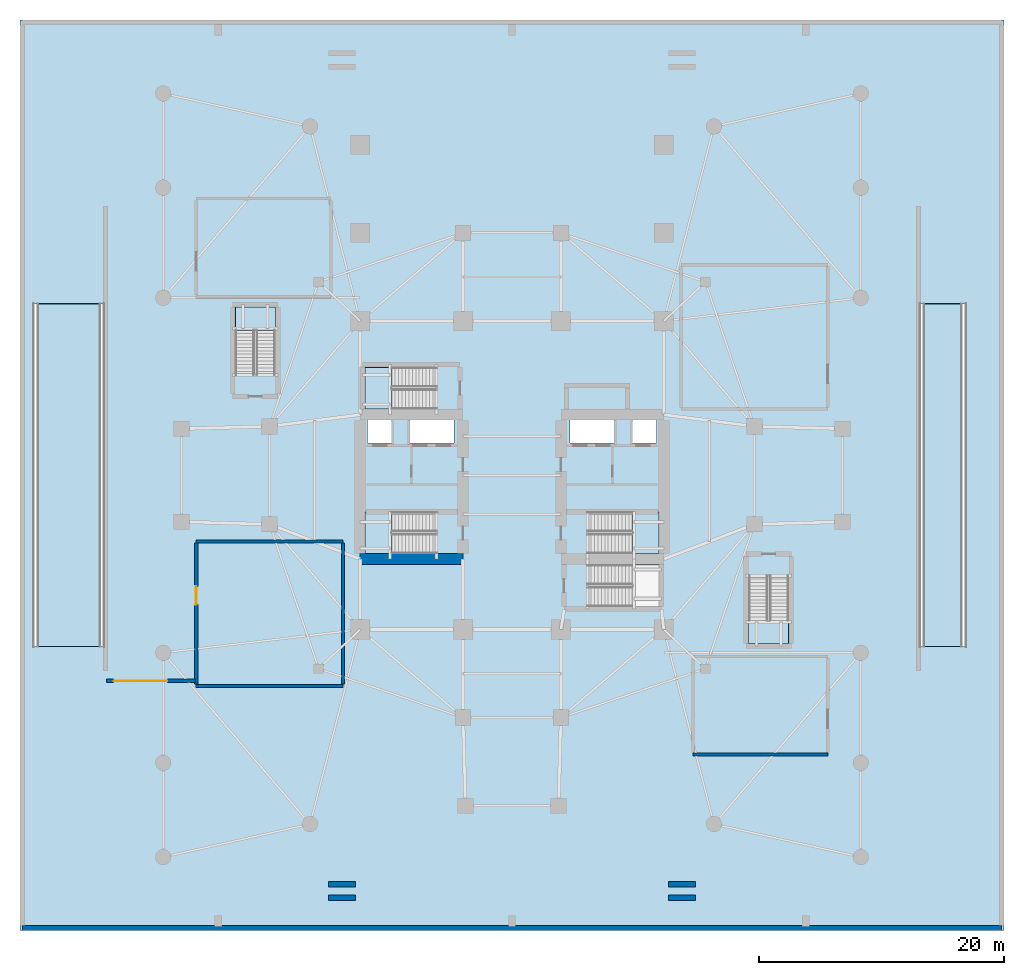
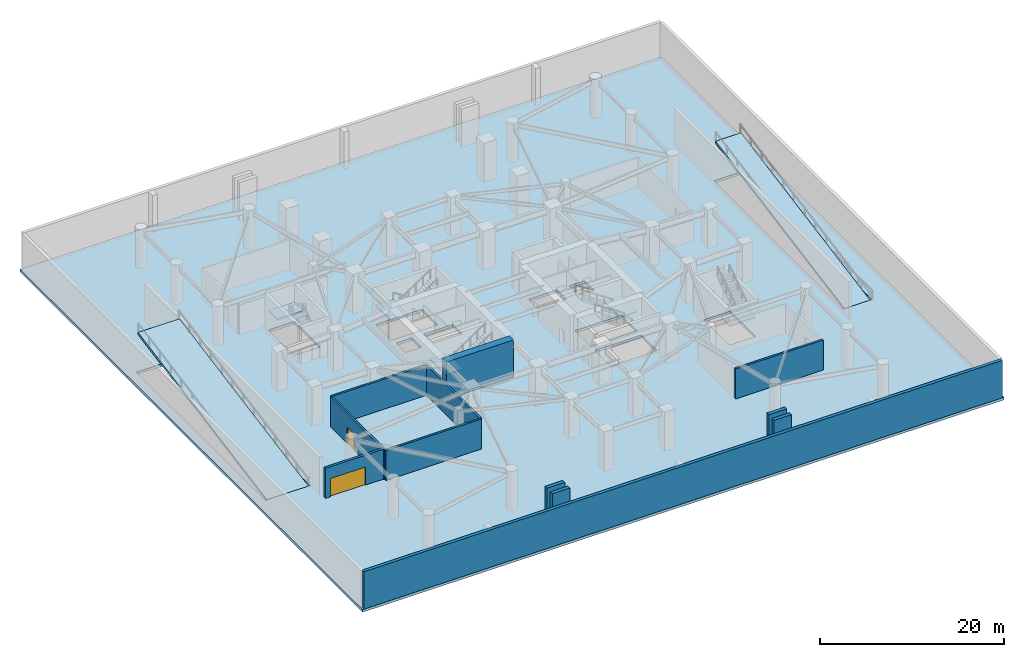
# One storey, part 3 of 12: 12 walls, 8 slabs, 2 doors, 2 openings, 5 elements without a shape of their own.
"""IFC4 building model written with IfcOpenShell, lengths in metres."""

from ifc_helpers import new_model, si_unit, direction, frame, frame_2d, origin, place, context, subcontext, project, spatial, polyline, rectangle, outline, extrude, material, layer, layer_set, type_object, element, fill, aggregate, save


model = new_model("IFC4")

# Units and contexts
model_context = context("Model", 3, precision=1e-05, world=origin(), true_north=direction((0.0, 1.0)))
body_context = subcontext(model_context, "Body", "Model", "MODEL_VIEW")
ifc_project = project(units=[si_unit("LENGTHUNIT", "METRE"), si_unit("AREAUNIT", "SQUARE_METRE"), si_unit("VOLUMEUNIT", "CUBIC_METRE"), si_unit("PLANEANGLEUNIT", "RADIAN"), si_unit("MASSUNIT", "GRAM", prefix="KILO")], contexts=[model_context])

# Site, building, storey
site_placement = place(None, origin())
site = spatial("IfcSite", under=ifc_project, at=site_placement, CompositionType="ELEMENT")
building_placement = place(site_placement, origin())
building = spatial("IfcBuilding", under=site, at=building_placement, Name="Qingluan Cross Belvedere", CompositionType="ELEMENT")
storey_placement = place(building_placement, frame((0.0, 0.0, -5.199951171875)))
storey = spatial("IfcBuildingStorey", under=building, at=storey_placement, Name="B1", CompositionType="ELEMENT", Elevation=-5.199951171875)

# Slab
ifc_material_1 = material(Name="Concrete C40", Category="concrete")
ifc_layer_1 = layer(ifc_material_1, 0.35009765625, Name="FloorSlab_350")
ifc_layer_set_1 = layer_set([ifc_layer_1], Name="Concrete C40")
slab_type_1 = type_object("IfcSlabType", Name="FloorSlab_350", PredefinedType="FLOOR", material=ifc_layer_set_1)
slab_1_placement = place(storey_placement, frame((0.0, 0.0, -0.35009765625)))
element("IfcSlab", 1, at=slab_1_placement, inside=storey, type_object=slab_type_1, Name="Structural floor slab B1", PredefinedType="FLOOR", context=body_context, shape_type="SweptSolid", body=[
    extrude(outline(polyline([(40.199951171875, -37.199951171875), (40.199951171875, 37.199951171875), (-40.199951171875, 37.199951171875), (-40.199951171875, -37.199951171875), (40.199951171875, -37.199951171875)]), holes=[polyline([(-12.0, -3.0), (-6.179931640625, -3.0), (-6.179931640625, -6.39990234375), (-12.0, -6.39990234375), (-12.0, -3.0)]), polyline([(6.179931640625, -3.0), (12.0, -3.0), (12.0, -6.39990234375), (6.179931640625, -6.39990234375), (6.179931640625, -3.0)]), polyline([(-12.0, 8.820068359375), (-6.179931640625, 8.820068359375), (-6.179931640625, 5.419921875), (-12.0, 5.419921875), (-12.0, 8.820068359375)]), polyline([(6.179931640625, -7.320068359375), (12.0, -7.320068359375), (12.0, -10.719970703125), (6.179931640625, -10.719970703125), (6.179931640625, -7.320068359375)]), polyline([(-22.60009765625, 13.72998046875), (-19.340087890625, 13.72998046875), (-19.340087890625, 8.2099609375), (-22.60009765625, 8.2099609375), (-22.60009765625, 13.72998046875)]), polyline([(19.340087890625, -8.2099609375), (22.60009765625, -8.2099609375), (22.60009765625, -13.72998046875), (19.340087890625, -13.72998046875), (19.340087890625, -8.2099609375)]), polyline([(-11.800048828125, 4.64990234375), (-9.85009765625, 4.64990234375), (-9.85009765625, 2.64990234375), (-11.800048828125, 2.64990234375), (-11.800048828125, 4.64990234375)]), polyline([(-8.35009765625, 4.64990234375), (-4.75, 4.64990234375), (-4.75, 2.64990234375), (-8.35009765625, 2.64990234375), (-8.35009765625, 4.64990234375)]), polyline([(4.75, 4.64990234375), (8.35009765625, 4.64990234375), (8.35009765625, 2.64990234375), (4.75, 2.64990234375), (4.75, 4.64990234375)]), polyline([(9.85009765625, 4.64990234375), (11.800048828125, 4.64990234375), (11.800048828125, 2.64990234375), (9.85009765625, 2.64990234375), (9.85009765625, 4.64990234375)]), polyline([(-39.0, 14.0), (-33.39990234375, 14.0), (-33.39990234375, -14.0), (-39.0, -14.0), (-39.0, 14.0)]), polyline([(33.39990234375, 14.0), (37.0, 14.0), (37.0, -14.0), (33.39990234375, -14.0), (33.39990234375, 14.0)])]), origin(), (0.0, 0.0, 1.0), 0.35009765625),
])

# Stair, slab
ifc_material_2 = material(Name="Concrete C40", Category="concrete")
stair_type_1 = type_object("IfcStairType", Name="CoreDoglegStair_1620", PredefinedType="HALF_TURN_STAIR", material=ifc_material_2)
stair_1_placement = place(storey_placement, origin())
stair_1 = element("IfcStair", 2, at=stair_1_placement, inside=storey, type_object=stair_type_1, Name="B1 ST1", PredefinedType="HALF_TURN_STAIR")
ifc_material_3 = material(Name="Concrete C40", Category="concrete")
ifc_layer_2 = layer(ifc_material_3, 0.179931640625, Name="StairLandingSlab_180")
ifc_layer_set_2 = layer_set([ifc_layer_2], Name="Concrete C40")
slab_type_2 = type_object("IfcSlabType", Name="StairLandingSlab_180", PredefinedType="LANDING", material=ifc_layer_set_2)
slab_2_placement = place(storey_placement, frame((0.0, 0.0, 2.39990234375)))
slab_2 = element("IfcSlab", 3, at=slab_2_placement, type_object=slab_type_2, Name="ST1 landing 1", PredefinedType="LANDING", context=body_context, shape_type="SweptSolid", body=[
    extrude(outline(polyline([(-9.820068359375, -3.0), (-12.0, -3.0), (-12.0, -6.39990234375), (-9.820068359375, -6.39990234375), (-9.820068359375, -3.0)])), origin(), (0.0, 0.0, 1.0), 0.199951171875),
])
aggregate(stair_1, [slab_2])

stair_2_placement = place(storey_placement, origin())
stair_2 = element("IfcStair", 4, at=stair_2_placement, inside=storey, type_object=stair_type_1, Name="B1 ST2", PredefinedType="HALF_TURN_STAIR")
slab_3_placement = place(storey_placement, frame((0.0, 0.0, 2.39990234375)))
slab_3 = element("IfcSlab", 5, at=slab_3_placement, type_object=slab_type_2, Name="ST2 landing 1", PredefinedType="LANDING", context=body_context, shape_type="SweptSolid", body=[
    extrude(outline(polyline([(9.820068359375, -6.39990234375), (12.0, -6.39990234375), (12.0, -3.0), (9.820068359375, -3.0), (9.820068359375, -6.39990234375)])), origin(), (0.0, 0.0, 1.0), 0.199951171875),
])
aggregate(stair_2, [slab_3])

stair_3_placement = place(storey_placement, origin())
stair_3 = element("IfcStair", 6, at=stair_3_placement, inside=storey, type_object=stair_type_1, Name="B1 ST3", PredefinedType="HALF_TURN_STAIR")
slab_4_placement = place(storey_placement, frame((0.0, 0.0, 2.39990234375)))
slab_4 = element("IfcSlab", 7, at=slab_4_placement, type_object=slab_type_2, Name="ST3 landing 1", PredefinedType="LANDING", context=body_context, shape_type="SweptSolid", body=[
    extrude(outline(polyline([(-9.820068359375, 8.820068359375), (-12.0, 8.820068359375), (-12.0, 5.419921875), (-9.820068359375, 5.419921875), (-9.820068359375, 8.820068359375)])), origin(), (0.0, 0.0, 1.0), 0.199951171875),
])
aggregate(stair_3, [slab_4])

ifc_material_4 = material(Name="Concrete C40", Category="concrete")
stair_type_2 = type_object("IfcStairType", Name="PodiumExitStair_1550", PredefinedType="HALF_TURN_STAIR", material=ifc_material_4)
stair_4_placement = place(storey_placement, origin())
stair_4 = element("IfcStair", 8, at=stair_4_placement, inside=storey, type_object=stair_type_2, Name="B1 ST5", PredefinedType="HALF_TURN_STAIR")
slab_5_placement = place(storey_placement, frame((0.0, 0.0, 2.39990234375)))
slab_5 = element("IfcSlab", 9, at=slab_5_placement, type_object=slab_type_2, Name="ST5 landing 1", PredefinedType="LANDING", context=body_context, shape_type="SweptSolid", body=[
    extrude(outline(polyline([(-19.340087890625, 11.85009765625), (-19.340087890625, 13.72998046875), (-22.60009765625, 13.72998046875), (-22.60009765625, 11.85009765625), (-19.340087890625, 11.85009765625)])), origin(), (0.0, 0.0, 1.0), 0.199951171875),
])
aggregate(stair_4, [slab_5])

stair_5_placement = place(storey_placement, origin())
stair_5 = element("IfcStair", 10, at=stair_5_placement, inside=storey, type_object=stair_type_2, Name="B1 ST6", PredefinedType="HALF_TURN_STAIR")
slab_6_placement = place(storey_placement, frame((0.0, 0.0, 2.39990234375)))
slab_6 = element("IfcSlab", 11, at=slab_6_placement, type_object=slab_type_2, Name="ST6 landing 1", PredefinedType="LANDING", context=body_context, shape_type="SweptSolid", body=[
    extrude(outline(polyline([(19.340087890625, -11.85009765625), (19.340087890625, -13.72998046875), (22.60009765625, -13.72998046875), (22.60009765625, -11.85009765625), (19.340087890625, -11.85009765625)])), origin(), (0.0, 0.0, 1.0), 0.199951171875),
])
aggregate(stair_5, [slab_6])

# Slabs
ifc_material_5 = material(Name="Concrete C40", Category="concrete")
ifc_layer_3 = layer(ifc_material_5, 0.300048828125, Name="VehicleRampSlab_300")
ifc_layer_set_3 = layer_set([ifc_layer_3], Name="Concrete C40")
slab_type_3 = type_object("IfcSlabType", Name="VehicleRampSlab_300", PredefinedType="FLOOR", material=ifc_layer_set_3)
slab_7_placement = place(storey_placement, frame((-38.800048828125, -14.0, 0.0), z_axis=(0.0, -0.18259053646, 0.983189043875), x_axis=(1.0, 0.0, 0.0)))
element("IfcSlab", 12, at=slab_7_placement, inside=storey, type_object=slab_type_3, Name="Vehicle ramp structural slab VR2 (Concrete C40)", PredefinedType="FLOOR", context=body_context, shape_type="SweptSolid", body=[
    extrude(outline(polyline([(0.0, 0.0), (5.199951171875, 0.0), (5.199951171875, 28.4787551025301), (0.0, 28.4787551025301), (0.0, 0.0)])), origin(), (0.0, 0.0, -1.0), 0.300048828125),
])
slab_8_placement = place(storey_placement, frame((33.60009765625, -14.0, 0.0), z_axis=(0.0, -0.18259053646, 0.983189043875), x_axis=(1.0, 0.0, 0.0)))
element("IfcSlab", 13, at=slab_8_placement, inside=storey, type_object=slab_type_3, Name="Vehicle ramp structural slab VR4 (Concrete C40)", PredefinedType="FLOOR", context=body_context, shape_type="SweptSolid", body=[
    extrude(outline(polyline([(0.0, 0.0), (3.199951171875, 0.0), (3.199951171875, 28.478755102530105), (0.0, 28.478755102530105), (0.0, 0.0)])), origin(), (0.0, 0.0, -1.0), 0.300048828125),
])

# Walls
ifc_material_6 = material(Name="Concrete C50", Category="concrete")
ifc_layer_4 = layer(ifc_material_6, 0.449951171875, Name="CoreShearWall_450")
ifc_layer_set_4 = layer_set([ifc_layer_4], Name="Concrete C50")
wall_type_1 = type_object("IfcWallType", Name="CoreShearWall_450", PredefinedType="SHEAR", material=ifc_layer_set_4)
wall_1_placement = place(storey_placement, frame((-15.0, -34.5, 0.0), z_axis=(0.0, 0.0, 1.0), x_axis=(1.0, 0.0, 0.0)))
element("IfcWall", 14, at=wall_1_placement, inside=storey, type_object=wall_type_1, Name="Entrance ramp structural support wall B1-1", PredefinedType="SHEAR", context=body_context, shape_type="SweptSolid", body=[
    extrude(rectangle(XDim=2.199951171875, YDim=0.449951171875, at=frame_2d((1.10009765625, 0.0))), origin(), (0.0, 0.0, 1.0), 5.02001953125),
])
wall_2_placement = place(storey_placement, frame((-15.0, -33.39990234375, 0.0), z_axis=(0.0, 0.0, 1.0), x_axis=(1.0, 0.0, 0.0)))
element("IfcWall", 15, at=wall_2_placement, inside=storey, type_object=wall_type_1, Name="Entrance ramp structural support wall B1-2", PredefinedType="SHEAR", context=body_context, shape_type="SweptSolid", body=[
    extrude(rectangle(XDim=2.199951171875, YDim=0.449951171875, at=frame_2d((1.10009765625, 0.0))), origin(), (0.0, 0.0, 1.0), 5.099853515625),
])
wall_3_placement = place(storey_placement, frame((12.800048828125, -34.5, 0.0), z_axis=(0.0, 0.0, 1.0), x_axis=(1.0, 0.0, 0.0)))
element("IfcWall", 16, at=wall_3_placement, inside=storey, type_object=wall_type_1, Name="Entrance ramp structural support wall B1-3", PredefinedType="SHEAR", context=body_context, shape_type="SweptSolid", body=[
    extrude(rectangle(XDim=2.199951171875, YDim=0.449951171875, at=frame_2d((1.10009765625, 0.0))), origin(), (0.0, 0.0, 1.0), 5.02001953125),
])
wall_4_placement = place(storey_placement, frame((12.800048828125, -33.39990234375, 0.0), z_axis=(0.0, 0.0, 1.0), x_axis=(1.0, 0.0, 0.0)))
element("IfcWall", 17, at=wall_4_placement, inside=storey, type_object=wall_type_1, Name="Entrance ramp structural support wall B1-4", PredefinedType="SHEAR", context=body_context, shape_type="SweptSolid", body=[
    extrude(rectangle(XDim=2.199951171875, YDim=0.449951171875, at=frame_2d((1.10009765625, 0.0))), origin(), (0.0, 0.0, 1.0), 5.099853515625),
])
ifc_material_7 = material(Name="Concrete C70", Category="concrete")
ifc_layer_5 = layer(ifc_material_7, 0.89990234375, Name="CoreShearWall_900")
ifc_layer_set_5 = layer_set([ifc_layer_5], Name="Concrete C70")
wall_type_2 = type_object("IfcWallType", Name="CoreShearWall_900", PredefinedType="SHEAR", material=ifc_layer_set_5)
wall_5_placement = place(storey_placement, frame((-12.39990234375, -6.85009765625, 0.0), z_axis=(0.0, 0.0, 1.0), x_axis=(1.0, 0.0, 0.0)))
element("IfcWall", 18, at=wall_5_placement, inside=storey, type_object=wall_type_2, Name="Split core W shear wall B1-S", PredefinedType="SHEAR", context=body_context, shape_type="SweptSolid", body=[
    extrude(rectangle(XDim=8.39990234375, YDim=0.89990234375, at=frame_2d((4.199951171875, 0.0))), origin(), (0.0, 0.0, 1.0), 4.949951171875),
])

# Wall, opening, door
ifc_material_8 = material(Name="Concrete C40", Category="concrete")
ifc_layer_6 = layer(ifc_material_8, 0.300048828125, Name="FireCompartmentWall_300")
ifc_layer_set_6 = layer_set([ifc_layer_6], Name="Concrete C40")
wall_type_3 = type_object("IfcWallType", Name="FireCompartmentWall_300", PredefinedType="SOLIDWALL", material=ifc_layer_set_6)
wall_6_placement = place(storey_placement, frame((-33.14990234375, -16.800048828125, 0.0), z_axis=(0.0, 0.0, 1.0), x_axis=(1.0, 0.0, 0.0)))
wall_6 = element("IfcWall", 19, at=wall_6_placement, inside=storey, type_object=wall_type_3, Name="Basement car park vehicle entry portal wall B1", PredefinedType="SOLIDWALL", context=body_context, shape_type="SweptSolid", body=[
    extrude(rectangle(XDim=7.2998046875, YDim=0.300048828125, at=frame_2d((3.64990234375, 0.0))), origin(), (0.0, 0.0, 1.0), 3.969970703125),
])
opening_1_placement = place(wall_6_placement, frame((0.60009765625, 0.0, 0.0)))
opening_1 = element("IfcOpeningElement", 20, at=opening_1_placement, cuts=wall_6, Name="Opening VG-44", PredefinedType="OPENING", context=body_context, shape_type="SweptSolid", body=[
    extrude(rectangle(XDim=4.39990234375, YDim=2.39990234375, at=frame_2d((2.199951171875, 1.199951171875))), frame((0.0, 0.159912109375, 0.0), z_axis=(0.0, -1.0, 0.0), x_axis=(1.0, 0.0, 0.0)), (0.0, 0.0, 1.0), 0.320068359375),
])
ifc_material_9 = material(Name="Insulated galvanized steel roller shutter", Category="steel")
door_type_1 = type_object("IfcDoorType", Name="VehicleRollerGate_4400", OperationType="ROLLINGUP", PredefinedType="GATE", material=ifc_material_9)
door_1_placement = place(opening_1_placement, origin())
door_1 = element("IfcDoor", 21, at=door_1_placement, inside=storey, type_object=door_type_1, Name="Basement car park vehicle entry roller gate B1", OperationType="ROLLINGUP", OverallHeight=2.39990234375, OverallWidth=4.39990234375, PredefinedType="GATE", context=body_context, shape_type="SweptSolid", body=[
    extrude(rectangle(XDim=4.39990234375, YDim=2.39990234375, at=frame_2d((2.199951171875, 1.199951171875))), frame((0.0, 0.02490234375, 0.0), z_axis=(0.0, -1.0, 0.0), x_axis=(1.0, 0.0, 0.0)), (0.0, 0.0, 1.0), 0.050048828125),
])
fill(opening_1, door_1)

# Walls
for number, where, z_axis, x_axis, name in (
    (22, (-25.800048828125, -17.199951171875, 0.0), (0.0, 0.0, 1.0), (1.0, 0.0, 0.0), "Partition B1:gen_hall:S"),
    (23, (-25.800048828125, -5.39990234375, 0.0), (0.0, 0.0, 1.0), (1.0, 0.0, 0.0), "Partition B1:gen_hall:N"),
):
    element("IfcWall", number, at=place(storey_placement, frame(where, z_axis=z_axis, x_axis=x_axis)), inside=storey, type_object=wall_type_3, Name=name, PredefinedType="SOLIDWALL", context=body_context, shape_type="SweptSolid", body=[
        extrude(rectangle(XDim=12.0, YDim=0.25, at=frame_2d((6.0, 0.0))), origin(), (0.0, 0.0, 1.0), 3.969970703125),
    ])

# Wall, opening, door
wall_7_placement = place(storey_placement, frame((-25.800048828125, -17.070068359375, 0.0), z_axis=(0.0, 0.0, 1.0), x_axis=(0.0, 1.0, 0.0)))
wall_7 = element("IfcWall", 24, at=wall_7_placement, inside=storey, type_object=wall_type_3, Name="Partition B1:gen_hall:W", PredefinedType="SOLIDWALL", context=body_context, shape_type="SweptSolid", body=[
    extrude(rectangle(XDim=11.5400390625, YDim=0.25, at=frame_2d((5.77001953125, 0.0))), origin(), (0.0, 0.0, 1.0), 3.969970703125),
])
opening_2_placement = place(wall_7_placement, frame((6.5, 0.0, 0.0)))
opening_2 = element("IfcOpeningElement", 25, at=opening_2_placement, cuts=wall_7, Name="Opening FD-A15", PredefinedType="OPENING", context=body_context, shape_type="SweptSolid", body=[
    extrude(rectangle(XDim=1.5, YDim=2.14990234375, at=frame_2d((0.75, 1.074951171875))), frame((0.0, 0.135009765625, 0.0), z_axis=(0.0, -1.0, 0.0), x_axis=(1.0, 0.0, 0.0)), (0.0, 0.0, 1.0), 0.27001953125),
])
ifc_material_10 = material(Name="Insulated steel Class A double fire door", Category="steel")
door_type_2 = type_object("IfcDoorType", Name="PlantDoubleFireDoor_FDA", OperationType="DOUBLE_DOOR_SINGLE_SWING", PredefinedType="DOOR", material=ifc_material_10)
door_2_placement = place(opening_2_placement, origin())
door_2 = element("IfcDoor", 26, at=door_2_placement, inside=storey, type_object=door_type_2, Name="Standby diesel power switch room B1 door", OperationType="DOUBLE_DOOR_SINGLE_SWING", OverallHeight=2.14990234375, OverallWidth=1.5, PredefinedType="DOOR", context=body_context, shape_type="SweptSolid", body=[
    extrude(rectangle(XDim=1.5, YDim=2.14990234375, at=frame_2d((0.75, 1.074951171875))), frame((0.0, 0.02490234375, 0.0), z_axis=(0.0, -1.0, 0.0), x_axis=(1.0, 0.0, 0.0)), (0.0, 0.0, 1.0), 0.050048828125),
])
fill(opening_2, door_2)

# Walls
wall_8_placement = place(storey_placement, frame((-13.800048828125, -17.070068359375, 0.0), z_axis=(0.0, 0.0, 1.0), x_axis=(0.0, 1.0, 0.0)))
element("IfcWall", 27, at=wall_8_placement, inside=storey, type_object=wall_type_3, Name="Partition B1:gen_hall:E", PredefinedType="SOLIDWALL", context=body_context, shape_type="SweptSolid", body=[
    extrude(rectangle(XDim=11.5400390625, YDim=0.25, at=frame_2d((5.77001953125, 0.0))), origin(), (0.0, 0.0, 1.0), 3.969970703125),
])
wall_9_placement = place(storey_placement, frame((14.800048828125, -22.800048828125, 0.0), z_axis=(0.0, 0.0, 1.0), x_axis=(1.0, 0.0, 0.0)))
element("IfcWall", 28, at=wall_9_placement, inside=storey, type_object=wall_type_3, Name="Partition B1:laundry_boh:S", PredefinedType="SOLIDWALL", context=body_context, shape_type="SweptSolid", body=[
    extrude(rectangle(XDim=11.0, YDim=0.25, at=frame_2d((5.5, 0.0))), origin(), (0.0, 0.0, 1.0), 3.969970703125),
])
ifc_material_11 = material(Name="Concrete C40", Category="concrete")
ifc_layer_7 = layer(ifc_material_11, 0.39990234375, Name="RetainingWall_400")
ifc_layer_set_7 = layer_set([ifc_layer_7], Name="Concrete C40")
wall_type_4 = type_object("IfcWallType", Name="RetainingWall_400", PredefinedType="USERDEFINED", material=ifc_layer_set_7)
wall_10_placement = place(storey_placement, frame((40.0, -37.0, 0.0), z_axis=(0.0, 0.0, 1.0), x_axis=(-1.0, 0.0, 0.0)))
element("IfcWall", 29, at=wall_10_placement, inside=storey, type_object=wall_type_4, Name="Basement perimeter retaining wall B1-S", ObjectType="RETAININGWALL", PredefinedType="USERDEFINED", context=body_context, shape_type="SweptSolid", body=[
    extrude(rectangle(XDim=80.0, YDim=0.39990234375, at=frame_2d((40.0, 0.0))), origin(), (0.0, 0.0, 1.0), 4.949951171875),
])

save(model, "model.ifc")
